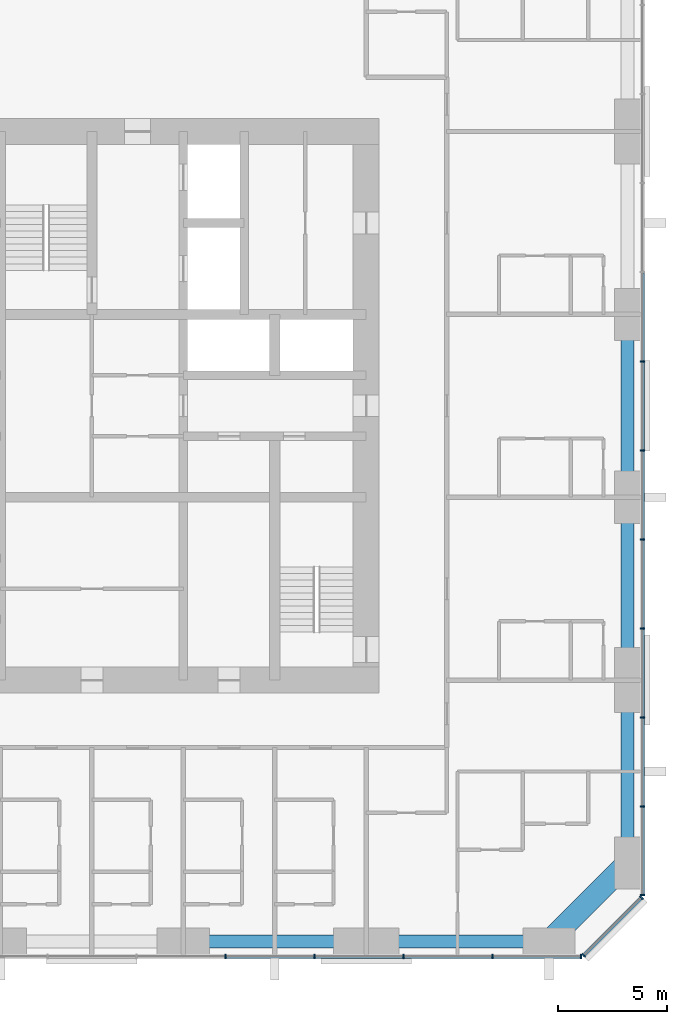
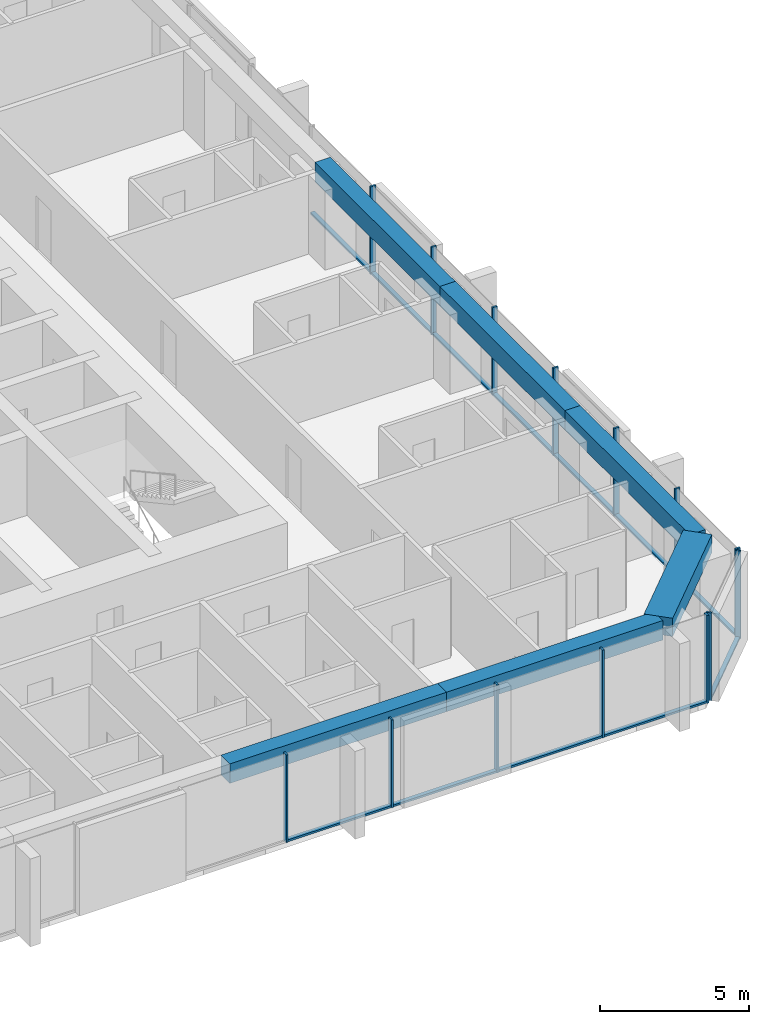
# One storey, part 4 of 14: 26 members, 6 beams, 3 elements without a shape of their own.
"""IFC4 building model written with IfcOpenShell, lengths in metres."""

from ifc_helpers import new_model, si_unit, direction, frame, origin, origin_2d, place, context, subcontext, project, spatial, rectangle, extrude, material, material_profile, profile_set, type_object, element, aggregate, save


model = new_model("IFC4")

# Units and contexts
model_context = context("Model", 3, precision=1e-05, world=origin(), true_north=direction((0.0, 1.0)))
body_context = subcontext(model_context, "Body", "Model", "MODEL_VIEW")
ifc_project = project(units=[si_unit("LENGTHUNIT", "METRE"), si_unit("AREAUNIT", "SQUARE_METRE"), si_unit("VOLUMEUNIT", "CUBIC_METRE"), si_unit("PLANEANGLEUNIT", "RADIAN"), si_unit("MASSUNIT", "GRAM", prefix="KILO")], contexts=[model_context])

# Site, building, storey
site_placement = place(None, origin())
site = spatial("IfcSite", under=ifc_project, at=site_placement, CompositionType="ELEMENT")
building_placement = place(site_placement, origin())
building = spatial("IfcBuilding", under=site, at=building_placement, Name="Dunama Terrace Hotel", CompositionType="ELEMENT")
storey_placement = place(building_placement, frame((0.0, 0.0, 213.0)))
storey = spatial("IfcBuildingStorey", under=building, at=storey_placement, Name="L55", CompositionType="ELEMENT", Elevation=213.0)

# Curtain wall, members
ifc_material_1 = material(Name="Aluminium curtain wall system", Category="aluminium")
curtain_wall_type = type_object("IfcCurtainWallType", Name="Unitised fritted glass wall CW-C", PredefinedType="NOTDEFINED", material=ifc_material_1)
curtain_wall_1_placement = place(storey_placement, origin())
curtain_wall_1 = element("IfcCurtainWall", 1, at=curtain_wall_1_placement, inside=storey, type_object=curtain_wall_type, Name="Unitised fritted glass wall CW-C L55", PredefinedType="NOTDEFINED")
ifc_material_2 = material(Name="Aluminium mullion", Category="aluminium")
ifc_material_profile_1 = material_profile(ifc_material_2, rectangle(XDim=0.070068359375, YDim=0.199951171875, at=origin_2d()), Name="CWC MULLION 70X200")
ifc_profile_set_1 = profile_set([ifc_material_profile_1], Name="Aluminium mullion")
member_type_1 = type_object("IfcMemberType", Name="CWC mullion 70x200", PredefinedType="MULLION", material=ifc_profile_set_1)
member_1_placement = place(storey_placement, frame((35.535888671875, 4.10009765625, 0.0), z_axis=(0.0, 0.0, 1.0), x_axis=(1.0, 0.0, 0.0)))
member_1 = element("IfcMember", 2, at=member_1_placement, type_object=member_type_1, Name="CWC mullion", PredefinedType="MULLION", context=body_context, shape_type="SweptSolid", body=[
    extrude(rectangle(XDim=0.070068359375, YDim=0.199951171875, at=origin_2d()), origin(), (0.0, 0.0, 1.0), 3.60009765625),
])
member_2_placement = place(storey_placement, frame((39.626953125, 4.10009765625, 0.0), z_axis=(0.0, 0.0, 1.0), x_axis=(1.0, 0.0, 0.0)))
member_2 = element("IfcMember", 3, at=member_2_placement, type_object=member_type_1, Name="CWC mullion", PredefinedType="MULLION", context=body_context, shape_type="SweptSolid", body=[
    extrude(rectangle(XDim=0.070068359375, YDim=0.199951171875, at=origin_2d()), origin(), (0.0, 0.0, 1.0), 3.60009765625),
])
member_3_placement = place(storey_placement, frame((43.718017578125, 4.10009765625, 0.0), z_axis=(0.0, 0.0, 1.0), x_axis=(1.0, 0.0, 0.0)))
member_3 = element("IfcMember", 4, at=member_3_placement, type_object=member_type_1, Name="CWC mullion", PredefinedType="MULLION", context=body_context, shape_type="SweptSolid", body=[
    extrude(rectangle(XDim=0.070068359375, YDim=0.199951171875, at=origin_2d()), origin(), (0.0, 0.0, 1.0), 3.60009765625),
])
member_4_placement = place(storey_placement, frame((47.80908203125, 4.10009765625, 0.0), z_axis=(0.0, 0.0, 1.0), x_axis=(1.0, 0.0, 0.0)))
member_4 = element("IfcMember", 5, at=member_4_placement, type_object=member_type_1, Name="CWC mullion", PredefinedType="MULLION", context=body_context, shape_type="SweptSolid", body=[
    extrude(rectangle(XDim=0.070068359375, YDim=0.199951171875, at=origin_2d()), origin(), (0.0, 0.0, 1.0), 3.60009765625),
])
member_5_placement = place(storey_placement, frame((51.864990234375, 4.10009765625, 0.0), z_axis=(0.0, 0.0, 1.0), x_axis=(1.0, 0.0, 0.0)))
member_5 = element("IfcMember", 6, at=member_5_placement, type_object=member_type_1, Name="CWC mullion", PredefinedType="MULLION", context=body_context, shape_type="SweptSolid", body=[
    extrude(rectangle(XDim=0.070068359375, YDim=0.199951171875, at=origin_2d()), origin(), (0.0, 0.0, 1.0), 3.60009765625),
])

curtain_wall_2_placement = place(storey_placement, origin())
curtain_wall_2 = element("IfcCurtainWall", 7, at=curtain_wall_2_placement, inside=storey, type_object=curtain_wall_type, Name="Unitised fritted glass wall CW-C L55", PredefinedType="NOTDEFINED")
member_6_placement = place(storey_placement, frame((51.9951171875, 4.154052734375, 0.0), z_axis=(0.0, 0.0, 1.0), x_axis=(0.707106781187, 0.707106781187, 0.0)))
member_6 = element("IfcMember", 8, at=member_6_placement, type_object=member_type_1, Name="CWC mullion", PredefinedType="MULLION", context=body_context, shape_type="SweptSolid", body=[
    extrude(rectangle(XDim=0.070068359375, YDim=0.199951171875, at=origin_2d()), origin(), (0.0, 0.0, 1.0), 3.60009765625),
])
member_7_placement = place(storey_placement, frame((54.64599609375, 6.804931640625, 0.0), z_axis=(0.0, 0.0, 1.0), x_axis=(0.707106781187, 0.707106781187, 0.0)))
member_7 = element("IfcMember", 9, at=member_7_placement, type_object=member_type_1, Name="CWC mullion", PredefinedType="MULLION", context=body_context, shape_type="SweptSolid", body=[
    extrude(rectangle(XDim=0.070068359375, YDim=0.199951171875, at=origin_2d()), origin(), (0.0, 0.0, 1.0), 3.60009765625),
])

curtain_wall_3_placement = place(storey_placement, origin())
curtain_wall_3 = element("IfcCurtainWall", 10, at=curtain_wall_3_placement, inside=storey, type_object=curtain_wall_type, Name="Unitised fritted glass wall CW-C L55", PredefinedType="NOTDEFINED")
member_8_placement = place(storey_placement, frame((54.699951171875, 6.93505859375, 0.0), z_axis=(0.0, 0.0, 1.0), x_axis=(0.0, 1.0, 0.0)))
member_8 = element("IfcMember", 11, at=member_8_placement, type_object=member_type_1, Name="CWC mullion", PredefinedType="MULLION", context=body_context, shape_type="SweptSolid", body=[
    extrude(rectangle(XDim=0.070068359375, YDim=0.199951171875, at=origin_2d()), origin(), (0.0, 0.0, 1.0), 3.60009765625),
])
member_9_placement = place(storey_placement, frame((54.699951171875, 10.990966796875, 0.0), z_axis=(0.0, 0.0, 1.0), x_axis=(0.0, 1.0, 0.0)))
member_9 = element("IfcMember", 12, at=member_9_placement, type_object=member_type_1, Name="CWC mullion", PredefinedType="MULLION", context=body_context, shape_type="SweptSolid", body=[
    extrude(rectangle(XDim=0.070068359375, YDim=0.199951171875, at=origin_2d()), origin(), (0.0, 0.0, 1.0), 3.60009765625),
])
member_10_placement = place(storey_placement, frame((54.699951171875, 15.08203125, 0.0), z_axis=(0.0, 0.0, 1.0), x_axis=(0.0, 1.0, 0.0)))
member_10 = element("IfcMember", 13, at=member_10_placement, type_object=member_type_1, Name="CWC mullion", PredefinedType="MULLION", context=body_context, shape_type="SweptSolid", body=[
    extrude(rectangle(XDim=0.070068359375, YDim=0.199951171875, at=origin_2d()), origin(), (0.0, 0.0, 1.0), 3.60009765625),
])
member_11_placement = place(storey_placement, frame((54.699951171875, 19.173095703125, 0.0), z_axis=(0.0, 0.0, 1.0), x_axis=(0.0, 1.0, 0.0)))
member_11 = element("IfcMember", 14, at=member_11_placement, type_object=member_type_1, Name="CWC mullion", PredefinedType="MULLION", context=body_context, shape_type="SweptSolid", body=[
    extrude(rectangle(XDim=0.070068359375, YDim=0.199951171875, at=origin_2d()), origin(), (0.0, 0.0, 1.0), 3.60009765625),
])
member_12_placement = place(storey_placement, frame((54.699951171875, 23.263916015625, 0.0), z_axis=(0.0, 0.0, 1.0), x_axis=(0.0, 1.0, 0.0)))
member_12 = element("IfcMember", 15, at=member_12_placement, type_object=member_type_1, Name="CWC mullion", PredefinedType="MULLION", context=body_context, shape_type="SweptSolid", body=[
    extrude(rectangle(XDim=0.070068359375, YDim=0.199951171875, at=origin_2d()), origin(), (0.0, 0.0, 1.0), 3.60009765625),
])
member_13_placement = place(storey_placement, frame((54.699951171875, 27.35498046875, 0.0), z_axis=(0.0, 0.0, 1.0), x_axis=(0.0, 1.0, 0.0)))
member_13 = element("IfcMember", 16, at=member_13_placement, type_object=member_type_1, Name="CWC mullion", PredefinedType="MULLION", context=body_context, shape_type="SweptSolid", body=[
    extrude(rectangle(XDim=0.070068359375, YDim=0.199951171875, at=origin_2d()), origin(), (0.0, 0.0, 1.0), 3.60009765625),
])
member_14_placement = place(storey_placement, frame((54.699951171875, 31.445068359375, 0.0), z_axis=(0.0, 0.0, 1.0), x_axis=(0.0, 1.0, 0.0)))
member_14 = element("IfcMember", 17, at=member_14_placement, type_object=member_type_1, Name="CWC mullion", PredefinedType="MULLION", context=body_context, shape_type="SweptSolid", body=[
    extrude(rectangle(XDim=0.070068359375, YDim=0.199951171875, at=origin_2d()), origin(), (0.0, 0.0, 1.0), 3.60009765625),
])

# Member
ifc_material_3 = material(Name="Aluminium transom", Category="aluminium")
ifc_material_profile_2 = material_profile(ifc_material_3, rectangle(XDim=0.159912109375, YDim=0.080078125, at=origin_2d()), Name="CWC TRANSOM 160X80")
ifc_profile_set_2 = profile_set([ifc_material_profile_2], Name="Aluminium transom")
member_type_2 = type_object("IfcMemberType", Name="CWC transom 160x80", PredefinedType="USERDEFINED", material=ifc_profile_set_2)
member_15_placement = place(storey_placement, frame((35.571044921875, 4.10009765625, 0.0400390625), z_axis=(1.0, 0.0, 0.0), x_axis=(0.0, 1.0, 0.0)))
member_15 = element("IfcMember", 18, at=member_15_placement, type_object=member_type_2, Name="CWC transom", ObjectType="TRANSOM", PredefinedType="USERDEFINED", context=body_context, shape_type="SweptSolid", body=[
    extrude(rectangle(XDim=0.159912109375, YDim=0.080078125, at=origin_2d()), origin(), (0.0, 0.0, 1.0), 4.02099609375),
])

member_16_placement = place(storey_placement, frame((39.662109375, 4.10009765625, 0.0400390625), z_axis=(1.0, 0.0, 0.0), x_axis=(0.0, 1.0, 0.0)))
member_16 = element("IfcMember", 19, at=member_16_placement, type_object=member_type_2, Name="CWC transom", ObjectType="TRANSOM", PredefinedType="USERDEFINED", context=body_context, shape_type="SweptSolid", body=[
    extrude(rectangle(XDim=0.159912109375, YDim=0.080078125, at=origin_2d()), origin(), (0.0, 0.0, 1.0), 4.02099609375),
])

member_17_placement = place(storey_placement, frame((43.7529296875, 4.10009765625, 0.0400390625), z_axis=(1.0, 0.0, 0.0), x_axis=(0.0, 1.0, 0.0)))
member_17 = element("IfcMember", 20, at=member_17_placement, type_object=member_type_2, Name="CWC transom", ObjectType="TRANSOM", PredefinedType="USERDEFINED", context=body_context, shape_type="SweptSolid", body=[
    extrude(rectangle(XDim=0.159912109375, YDim=0.080078125, at=origin_2d()), origin(), (0.0, 0.0, 1.0), 4.02099609375),
])

member_18_placement = place(storey_placement, frame((47.843994140625, 4.10009765625, 0.0400390625), z_axis=(1.0, 0.0, 0.0), x_axis=(0.0, 1.0, 0.0)))
member_18 = element("IfcMember", 21, at=member_18_placement, type_object=member_type_2, Name="CWC transom", ObjectType="TRANSOM", PredefinedType="USERDEFINED", context=body_context, shape_type="SweptSolid", body=[
    extrude(rectangle(XDim=0.159912109375, YDim=0.080078125, at=origin_2d()), origin(), (0.0, 0.0, 1.0), 3.986083984375),
])

aggregate(curtain_wall_1, [member_1, member_2, member_3, member_4, member_5, member_15, member_16, member_17, member_18])

member_19_placement = place(storey_placement, frame((52.02001953125, 4.178955078125, 0.0400390625), z_axis=(0.707106781187, 0.707106781187, 0.0), x_axis=(-0.707106781187, 0.707106781187, 0.0)))
member_19 = element("IfcMember", 22, at=member_19_placement, type_object=member_type_2, Name="CWC transom", ObjectType="TRANSOM", PredefinedType="USERDEFINED", context=body_context, shape_type="SweptSolid", body=[
    extrude(rectangle(XDim=0.159912109375, YDim=0.080078125, at=origin_2d()), origin(), (0.0, 0.0, 1.0), 3.678466796875),
])

aggregate(curtain_wall_2, [member_6, member_7, member_19])

member_20_placement = place(storey_placement, frame((54.699951171875, 6.969970703125, 0.0400390625), z_axis=(0.0, 1.0, 0.0), x_axis=(-1.0, 0.0, 0.0)))
member_20 = element("IfcMember", 23, at=member_20_placement, type_object=member_type_2, Name="CWC transom", ObjectType="TRANSOM", PredefinedType="USERDEFINED", context=body_context, shape_type="SweptSolid", body=[
    extrude(rectangle(XDim=0.159912109375, YDim=0.080078125, at=origin_2d()), origin(), (0.0, 0.0, 1.0), 3.986083984375),
])

member_21_placement = place(storey_placement, frame((54.699951171875, 11.02587890625, 0.0400390625), z_axis=(0.0, 1.0, 0.0), x_axis=(-1.0, 0.0, 0.0)))
member_21 = element("IfcMember", 24, at=member_21_placement, type_object=member_type_2, Name="CWC transom", ObjectType="TRANSOM", PredefinedType="USERDEFINED", context=body_context, shape_type="SweptSolid", body=[
    extrude(rectangle(XDim=0.159912109375, YDim=0.080078125, at=origin_2d()), origin(), (0.0, 0.0, 1.0), 4.021240234375),
])

member_22_placement = place(storey_placement, frame((54.699951171875, 15.116943359375, 0.0400390625), z_axis=(0.0, 1.0, 0.0), x_axis=(-1.0, 0.0, 0.0)))
member_22 = element("IfcMember", 25, at=member_22_placement, type_object=member_type_2, Name="CWC transom", ObjectType="TRANSOM", PredefinedType="USERDEFINED", context=body_context, shape_type="SweptSolid", body=[
    extrude(rectangle(XDim=0.159912109375, YDim=0.080078125, at=origin_2d()), origin(), (0.0, 0.0, 1.0), 4.02099609375),
])

member_23_placement = place(storey_placement, frame((54.699951171875, 19.2080078125, 0.0400390625), z_axis=(0.0, 1.0, 0.0), x_axis=(-1.0, 0.0, 0.0)))
member_23 = element("IfcMember", 26, at=member_23_placement, type_object=member_type_2, Name="CWC transom", ObjectType="TRANSOM", PredefinedType="USERDEFINED", context=body_context, shape_type="SweptSolid", body=[
    extrude(rectangle(XDim=0.159912109375, YDim=0.080078125, at=origin_2d()), origin(), (0.0, 0.0, 1.0), 4.02099609375),
])

member_24_placement = place(storey_placement, frame((54.699951171875, 23.299072265625, 0.0400390625), z_axis=(0.0, 1.0, 0.0), x_axis=(-1.0, 0.0, 0.0)))
member_24 = element("IfcMember", 27, at=member_24_placement, type_object=member_type_2, Name="CWC transom", ObjectType="TRANSOM", PredefinedType="USERDEFINED", context=body_context, shape_type="SweptSolid", body=[
    extrude(rectangle(XDim=0.159912109375, YDim=0.080078125, at=origin_2d()), origin(), (0.0, 0.0, 1.0), 4.02099609375),
])

member_25_placement = place(storey_placement, frame((54.699951171875, 27.389892578125, 0.0400390625), z_axis=(0.0, 1.0, 0.0), x_axis=(-1.0, 0.0, 0.0)))
member_25 = element("IfcMember", 28, at=member_25_placement, type_object=member_type_2, Name="CWC transom", ObjectType="TRANSOM", PredefinedType="USERDEFINED", context=body_context, shape_type="SweptSolid", body=[
    extrude(rectangle(XDim=0.159912109375, YDim=0.080078125, at=origin_2d()), origin(), (0.0, 0.0, 1.0), 4.02001953125),
])

member_26_placement = place(storey_placement, frame((54.699951171875, 31.47998046875, 0.0400390625), z_axis=(0.0, 1.0, 0.0), x_axis=(-1.0, 0.0, 0.0)))
member_26 = element("IfcMember", 29, at=member_26_placement, type_object=member_type_2, Name="CWC transom", ObjectType="TRANSOM", PredefinedType="USERDEFINED", context=body_context, shape_type="SweptSolid", body=[
    extrude(rectangle(XDim=0.159912109375, YDim=0.080078125, at=origin_2d()), origin(), (0.0, 0.0, 1.0), 4.02099609375),
])

aggregate(curtain_wall_3, [member_8, member_9, member_10, member_11, member_12, member_13, member_14, member_20, member_21, member_22, member_23, member_24, member_25, member_26])

# Beams
ifc_material_4 = material(Name="Concrete C50/60", Category="concrete")
ifc_material_profile_3 = material_profile(ifc_material_4, rectangle(XDim=1.0, YDim=0.75, at=origin_2d()), Name="RC 1000x750")
ifc_profile_set_3 = profile_set([ifc_material_profile_3], Name="Concrete C50/60")
beam_type_1 = type_object("IfcBeamType", Name="Edge beam RC 1000x750", PredefinedType="SPANDREL", material=ifc_profile_set_3)
beam_1_placement = place(storey_placement, frame((50.39990234375, 4.800048828125, 3.22509765625), z_axis=(0.707130757816, 0.707082803744, 0.0), x_axis=(-0.707082803744, 0.707130757816, 0.0)))
element("IfcBeam", 30, at=beam_1_placement, inside=storey, type_object=beam_type_1, Name="Corner edge beam under L56", PredefinedType="SPANDREL", context=body_context, shape_type="SweptSolid", body=[
    extrude(rectangle(XDim=1.0, YDim=0.75, at=origin_2d()), origin(), (0.0, 0.0, 1.0), 5.091064453125),
])
ifc_material_5 = material(Name="Concrete C40/50", Category="concrete")
ifc_material_profile_4 = material_profile(ifc_material_5, rectangle(XDim=0.60009765625, YDim=0.800048828125, at=origin_2d()), Name="RC 600x800")
ifc_profile_set_4 = profile_set([ifc_material_profile_4], Name="Concrete C40/50")
beam_type_2 = type_object("IfcBeamType", Name="Edge beam RC 600x800", PredefinedType="SPANDREL", material=ifc_profile_set_4)
beam_2_placement = place(storey_placement, frame((54.0, 8.39990234375, 3.199951171875), z_axis=(0.0, 1.0, 0.0), x_axis=(-1.0, 0.0, 0.0)))
element("IfcBeam", 31, at=beam_2_placement, inside=storey, type_object=beam_type_2, Name="Edge beam under L56", PredefinedType="SPANDREL", context=body_context, shape_type="SweptSolid", body=[
    extrude(rectangle(XDim=0.60009765625, YDim=0.800048828125, at=origin_2d()), origin(), (0.0, 0.0, 1.0), 8.400146484375),
])
beam_3_placement = place(storey_placement, frame((54.0, 16.800048828125, 3.199951171875), z_axis=(0.0, 1.0, 0.0), x_axis=(-1.0, 0.0, 0.0)))
element("IfcBeam", 32, at=beam_3_placement, inside=storey, type_object=beam_type_2, Name="Edge beam under L56", PredefinedType="SPANDREL", context=body_context, shape_type="SweptSolid", body=[
    extrude(rectangle(XDim=0.60009765625, YDim=0.800048828125, at=origin_2d()), origin(), (0.0, 0.0, 1.0), 8.39990234375),
])
beam_4_placement = place(storey_placement, frame((54.0, 25.199951171875, 3.199951171875), z_axis=(0.0, 1.0, 0.0), x_axis=(-1.0, 0.0, 0.0)))
element("IfcBeam", 33, at=beam_4_placement, inside=storey, type_object=beam_type_2, Name="Edge beam under L56", PredefinedType="SPANDREL", context=body_context, shape_type="SweptSolid", body=[
    extrude(rectangle(XDim=0.60009765625, YDim=0.800048828125, at=origin_2d()), origin(), (0.0, 0.0, 1.0), 8.400146484375),
])
for number, where, z_axis, x_axis, name in (
    (34, (33.60009765625, 4.800048828125, 3.199951171875), (1.0, 0.0, 0.0), (0.0, 1.0, 0.0), "Edge beam under L56"),
    (35, (42.0, 4.800048828125, 3.199951171875), (1.0, 0.0, 0.0), (0.0, 1.0, 0.0), "Edge beam under L56"),
):
    element("IfcBeam", number, at=place(storey_placement, frame(where, z_axis=z_axis, x_axis=x_axis)), inside=storey, type_object=beam_type_2, Name=name, PredefinedType="SPANDREL", context=body_context, shape_type="SweptSolid", body=[
        extrude(rectangle(XDim=0.60009765625, YDim=0.800048828125, at=origin_2d()), origin(), (0.0, 0.0, 1.0), 8.39990234375),
    ])

save(model, "model.ifc")
